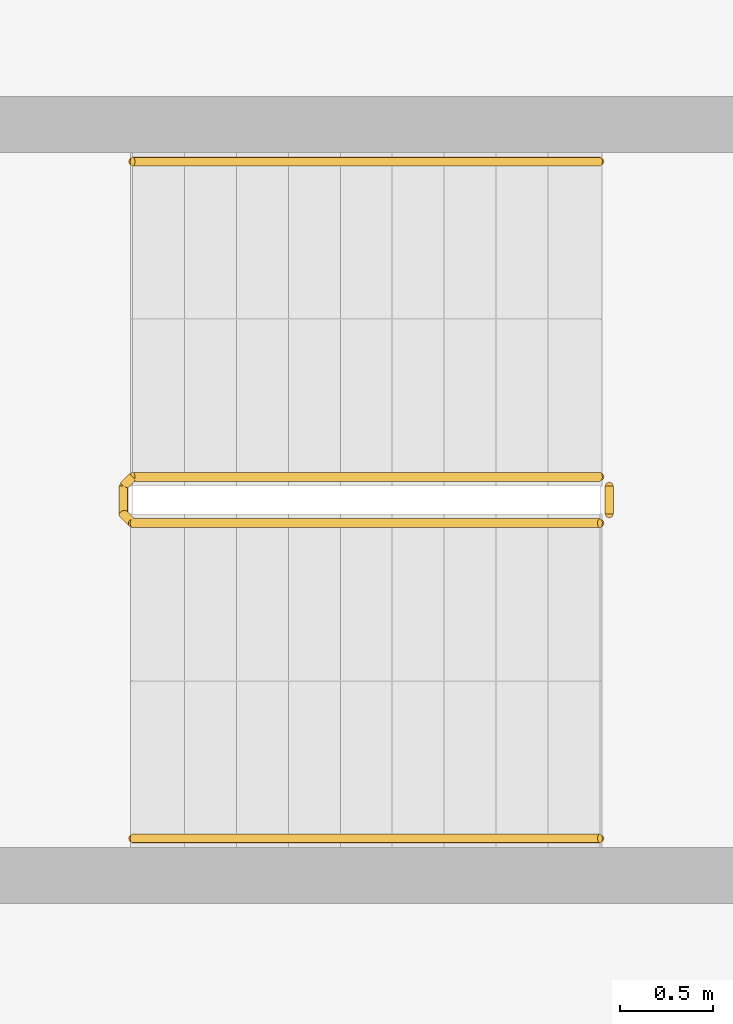
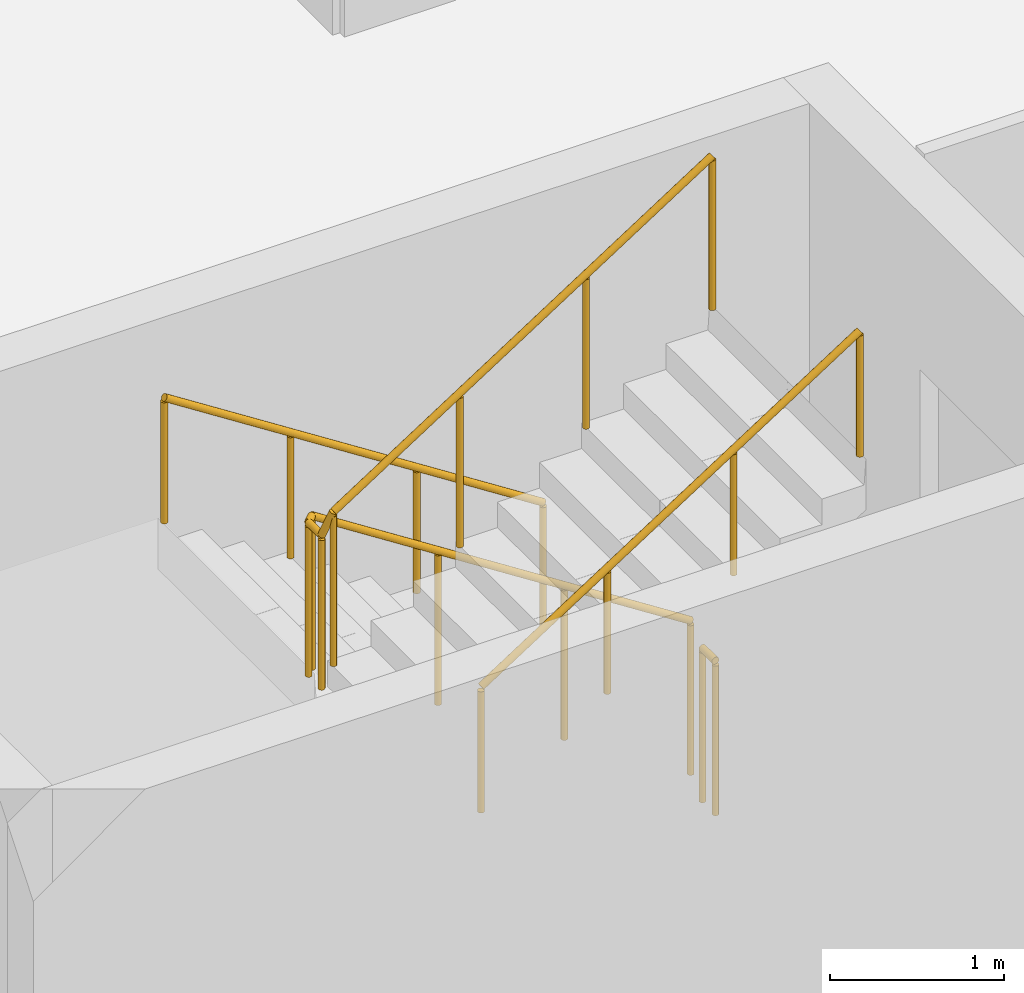
# One storey, part 28 of 31: 4 railings.
"""IFC4 building model written with IfcOpenShell, lengths in metres."""

import ifcopenshell
import ifcopenshell.guid

model = None  # the IFC model being written
_history = None  # IfcOwnerHistory: only IFC2X3 demands one
_inside = {}  # id of a spatial element -> (the spatial element, [elements in it])
_under = {}  # id of a project, library or spatial element -> (it, [spatial elements below it])
_declared = {}  # id of a project -> (the project, [libraries it declares])
_typed = {}  # id of a type object -> (the type object, [elements of that type])
_made_of = {}  # id of a material, layer set ... -> (it, [elements and type objects made of it])


def new_model(schema):
    """Start an empty IFC model of exactly this schema.

    Asked for "IFC4X3", IfcOpenShell would pick the latest addendum, in which some entities
    have other attributes; the version numbers below select the first issue.
    IFC2X3 requires an IfcOwnerHistory on every rooted entity: one is made here for all.
    """
    global model, _history
    if schema == "IFC4X3":
        model = ifcopenshell.file(schema_version=(4, 3, 0, 0))
    else:
        model = ifcopenshell.file(schema=schema)
    _inside.clear()
    _under.clear()
    _declared.clear()
    _typed.clear()
    _made_of.clear()
    _history = None
    if model.schema == "IFC2X3":
        org = make("IfcOrganization", Name="unknown")
        user = make(
            "IfcPersonAndOrganization",
            ThePerson=make("IfcPerson", FamilyName="unknown"),
            TheOrganization=org,
        )
        app = make(
            "IfcApplication",
            ApplicationDeveloper=org,
            Version="unknown",
            ApplicationFullName="unknown",
            ApplicationIdentifier="unknown",
        )
        _history = make(
            "IfcOwnerHistory",
            OwningUser=user,
            OwningApplication=app,
            ChangeAction="ADDED",
            CreationDate=0,
        )
    return model


def make(cls, **values):
    """One entity of the class cls with the attributes given. An attribute that is None is left unset."""
    return model.create_entity(
        cls, **{name: value for name, value in values.items() if value is not None}
    )


def rooted(cls, **values):
    """An entity with a GlobalId (a new one), such as an element, a storey or a relation."""
    return make(cls, GlobalId=ifcopenshell.guid.new(), OwnerHistory=_history, **values)


def si_unit(unit_type, name, prefix=None):
    """IfcSIUnit, for example si_unit("LENGTHUNIT", "METRE", prefix="MILLI")."""
    return make("IfcSIUnit", UnitType=unit_type, Prefix=prefix, Name=name)


def assignment(units):
    """IfcUnitAssignment: the units of a project."""
    return None if units is None else make("IfcUnitAssignment", Units=units)


def point(xyz):
    """IfcCartesianPoint."""
    return None if xyz is None else make("IfcCartesianPoint", Coordinates=xyz)


def direction(xyz):
    """IfcDirection."""
    return None if xyz is None else make("IfcDirection", DirectionRatios=xyz)


def frame(location, z_axis=None, x_axis=None):
    """IfcAxis2Placement3D, a coordinate frame: its origin and axes. An axis left out is left unset."""
    return make(
        "IfcAxis2Placement3D",
        Location=point(location),
        Axis=direction(z_axis),
        RefDirection=direction(x_axis),
    )


def frame_2d(location, x_axis=None):
    """IfcAxis2Placement2D, a coordinate frame in the plane: its origin and x axis."""
    return make(
        "IfcAxis2Placement2D", Location=point(location), RefDirection=direction(x_axis)
    )


def origin():
    """The frame at (0, 0, 0) with its axes left unset."""
    return frame((0.0, 0.0, 0.0))


def origin_2d():
    """The frame at (0, 0) in the plane with its x axis left unset."""
    return frame_2d((0.0, 0.0))


def place(relative_to, where):
    """IfcLocalPlacement: puts the frame where relative to a parent placement (None: the world)."""
    return make(
        "IfcLocalPlacement", PlacementRelTo=relative_to, RelativePlacement=where
    )


def context(
    kind, dimensions, precision=None, world=None, true_north=None, identifier=None
):
    """IfcGeometricRepresentationContext, for example the 3D "Model" context."""
    return make(
        "IfcGeometricRepresentationContext",
        ContextIdentifier=identifier,
        ContextType=kind,
        CoordinateSpaceDimension=dimensions,
        Precision=precision,
        WorldCoordinateSystem=world,
        TrueNorth=true_north,
    )


def subcontext(parent, identifier, kind, view, scale=None):
    """IfcGeometricRepresentationSubContext, for example "Body" below "Model"."""
    return make(
        "IfcGeometricRepresentationSubContext",
        ContextIdentifier=identifier,
        ContextType=kind,
        ParentContext=parent,
        TargetScale=scale,
        TargetView=view,
    )


def project(units=None, contexts=None):
    """IfcProject with its units and contexts."""
    return rooted(
        "IfcProject",
        Name="project",
        RepresentationContexts=contexts,
        UnitsInContext=assignment(units),
    )


def spatial(cls, under=None, at=None, **own):
    """A site, building, storey or space (cls), placed at a placement, below another one or the project."""
    s = rooted(cls, ObjectPlacement=at, **own)
    if under is not None:
        _under.setdefault(under.id(), (under, []))[1].append(s)
    return s


def profile(cls, at=None, kind="AREA", **sizes):
    """A parametric profile (cls). Its sizes go by their IFC names, for example OverallWidth=200.0."""
    return make(cls, ProfileType=kind, Position=at, **sizes)


def circle(**sizes):
    """IfcCircleProfileDef."""
    return profile("IfcCircleProfileDef", **sizes)


def extrude(swept, where, along, depth):
    """IfcExtrudedAreaSolid: the profile swept, set in the frame where, extruded along a direction by depth."""
    return make(
        "IfcExtrudedAreaSolid",
        SweptArea=swept,
        Position=where,
        ExtrudedDirection=direction(along),
        Depth=depth,
    )


def shape(context_of_items, identifier, shape_type, items):
    """IfcShapeRepresentation: the items that make up one representation, for example the "Body"."""
    return make(
        "IfcShapeRepresentation",
        ContextOfItems=context_of_items,
        RepresentationIdentifier=identifier,
        RepresentationType=shape_type,
        Items=items,
    )


def material(Name=None, Category=None):
    """IfcMaterial."""
    return make("IfcMaterial", Name=Name, Category=Category)


def made_of(thing, what):
    """Note that an element or type object is made of a material, layer set ...; save() writes the relation."""
    if what is not None:
        _made_of.setdefault(what.id(), (what, []))[1].append(thing)
    return thing


def type_object(cls, material=None, **own):
    """A type object (cls), such as IfcWallType, which elements share."""
    return made_of(rooted(cls, **own), material)


def element(
    cls,
    number,
    at=None,
    inside=None,
    cuts=None,
    type_object=None,
    material=None,
    context=None,
    identifier="Body",
    shape_type=None,
    held_by="IfcProductDefinitionShape",
    body=None,
    shapes=None,
    **own,
):
    """One element of the class cls, such as IfcWall. Its Tag is "e" and its number.

    at: its placement. inside: the storey or other place that contains it. cuts: it is an
    opening in that element (IfcRelVoidsElement). A single representation is given by context,
    identifier, shape_type and body (its items); several are given by shapes. held_by: the class
    of the entity that holds the representations. save() writes the other relations.
    """
    e = rooted(cls, Tag="e%d" % number, ObjectPlacement=at, **own)
    if body is not None:
        shapes = [shape(context, identifier, shape_type, body)]
    if shapes is not None:
        e.Representation = make(held_by, Representations=shapes)
    if inside is not None:
        _inside.setdefault(inside.id(), (inside, []))[1].append(e)
    if cuts is not None:
        rooted(
            "IfcRelVoidsElement", RelatingBuildingElement=cuts, RelatedOpeningElement=e
        )
    if type_object is not None:
        _typed.setdefault(type_object.id(), (type_object, []))[1].append(e)
    return made_of(e, material)


def aggregate(whole, parts):
    """IfcRelAggregates: a whole, such as a stair, and the parts it consists of."""
    return rooted("IfcRelAggregates", RelatingObject=whole, RelatedObjects=parts)


def save(model, path):
    """Write the relations noted so far, then the file.

    IfcRelAggregates (storeys below a building ...), IfcRelContainedInSpatialStructure (elements
    in a storey), IfcRelDefinesByType, IfcRelAssociatesMaterial and IfcRelDeclares: one each for
    every whole, place, type object, material and project.
    """
    for whole, parts in _under.values():
        aggregate(whole, parts)
    for where, things in _inside.values():
        rooted(
            "IfcRelContainedInSpatialStructure",
            RelatedElements=things,
            RelatingStructure=where,
        )
    for kind, things in _typed.values():
        rooted("IfcRelDefinesByType", RelatedObjects=things, RelatingType=kind)
    for what, things in _made_of.values():
        rooted("IfcRelAssociatesMaterial", RelatedObjects=things, RelatingMaterial=what)
    for by, libraries in _declared.values():
        rooted("IfcRelDeclares", RelatingContext=by, RelatedDefinitions=libraries)
    model.write(path)


model = new_model("IFC4")

# Units and contexts
model_context = context("Model", 3, precision=1e-05, world=origin(), true_north=direction((0.0, 1.0)))
body_context = subcontext(model_context, "Body", "Model", "MODEL_VIEW")
ifc_project = project(units=[si_unit("LENGTHUNIT", "METRE"), si_unit("AREAUNIT", "SQUARE_METRE"), si_unit("VOLUMEUNIT", "CUBIC_METRE"), si_unit("PLANEANGLEUNIT", "RADIAN"), si_unit("MASSUNIT", "GRAM", prefix="KILO")], contexts=[model_context])

# Site, building, storey
site_placement = place(None, origin())
site = spatial("IfcSite", under=ifc_project, at=site_placement, CompositionType="ELEMENT")
building_placement = place(site_placement, origin())
building = spatial("IfcBuilding", under=site, at=building_placement, Name="Wharfspan Tower", CompositionType="ELEMENT")
storey_placement = place(building_placement, frame((0.0, 0.0, 103.899902)))
storey = spatial("IfcBuildingStorey", under=building, at=storey_placement, Name="L23", CompositionType="ELEMENT", Elevation=103.899902)

# Railings
ifc_material = material(Name="Steel S355J2", Category="steel")
railing_type_1 = type_object("IfcRailingType", Name="Stair guard 1100", PredefinedType="GUARDRAIL", material=ifc_material)
railing_1_placement = place(storey_placement, frame((13.899902, 22.824951, 0.180176)))
element("IfcRailing", 1, at=railing_1_placement, inside=storey, type_object=railing_type_1, Name="L23 ST3 stair guard 1", PredefinedType="GUARDRAIL", context=body_context, shape_type="SweptSolid", body=[
    extrude(circle(Radius=0.023926, at=origin_2d()), frame((0.0, 0.0, 1.076172), z_axis=(-0.8412, 0.0, 0.540725), x_axis=(0.0, -1.0, 0.0)), (0.0, 0.0, 1.0), 2.99585),
    extrude(circle(Radius=0.023926, at=origin_2d()), frame((-2.52002, 0.0, 2.695801), z_axis=(-0.705376, -0.708834, 0.0), x_axis=(0.708834, -0.705376, 0.0)), (0.0, 0.0, 1.0), 0.070557),
    extrude(circle(Radius=0.023926, at=origin_2d()), frame((-2.569824, -0.050049, 2.695801), z_axis=(0.0, -1.0, 0.0), x_axis=(1.0, 0.0, 0.0)), (0.0, 0.0, 1.0), 0.149902),
    extrude(circle(Radius=0.023926, at=origin_2d()), frame((-2.569824, -0.199951, 2.695801), z_axis=(0.257669, -0.258932, 0.930892), x_axis=(0.708833, 0.705372, -1e-06)), (0.0, 0.0, 1.0), 0.193359),
    extrude(circle(Radius=0.023926, at=origin_2d()), frame((-2.52002, -0.25, 2.875977), z_axis=(0.841163, 0.0, 0.540782), x_axis=(0.0, 1.0, 0.0)), (0.0, 0.0, 1.0), 2.99585),
    extrude(circle(Radius=0.020996, at=origin_2d()), origin(), (0.0, 0.0, 1.0), 1.052002),
    extrude(circle(Radius=0.020996, at=origin_2d()), frame((-0.840088, 0.0, 0.540039)), (0.0, 0.0, 1.0), 1.052002),
    extrude(circle(Radius=0.020996, at=origin_2d()), frame((-1.679932, 0.0, 1.079834)), (0.0, 0.0, 1.0), 1.052002),
    extrude(circle(Radius=0.020996, at=origin_2d()), frame((-2.52002, 0.0, 1.619873)), (0.0, 0.0, 1.0), 1.052002),
    extrude(circle(Radius=0.020996, at=origin_2d()), frame((-2.569824, -0.050049, 1.619873)), (0.0, 0.0, 1.0), 1.052002),
    extrude(circle(Radius=0.020996, at=origin_2d()), frame((-2.569824, -0.199951, 1.619873)), (0.0, 0.0, 1.0), 1.052002),
    extrude(circle(Radius=0.020996, at=origin_2d()), frame((-2.52002, -0.25, 1.799805)), (0.0, 0.0, 1.0), 1.052002),
    extrude(circle(Radius=0.020996, at=origin_2d()), frame((-1.679932, -0.25, 2.339844)), (0.0, 0.0, 1.0), 1.052002),
    extrude(circle(Radius=0.020996, at=origin_2d()), frame((-0.840088, -0.25, 2.879883)), (0.0, 0.0, 1.0), 1.052002),
    extrude(circle(Radius=0.020996, at=origin_2d()), frame((0.0, -0.25, 3.419922)), (0.0, 0.0, 1.0), 1.052002),
])
railing_2_placement = place(storey_placement, frame((13.949951, 22.774902, 0.0)))
element("IfcRailing", 2, at=railing_2_placement, inside=storey, type_object=railing_type_1, Name="L23 ST3 stair guard 2", PredefinedType="GUARDRAIL", context=body_context, shape_type="SweptSolid", body=[
    extrude(circle(Radius=0.023926, at=origin_2d()), frame((0.0, 0.0, 1.076172), z_axis=(0.0, -1.0, 0.0), x_axis=(1.0, 0.0, 0.0)), (0.0, 0.0, 1.0), 0.149902),
    extrude(circle(Radius=0.020996, at=origin_2d()), origin(), (0.0, 0.0, 1.0), 1.052002),
    extrude(circle(Radius=0.020996, at=origin_2d()), frame((0.0, -0.149902, 0.0)), (0.0, 0.0, 1.0), 1.052002),
])
railing_type_2 = type_object("IfcRailingType", Name="Stair handrail 900", PredefinedType="HANDRAIL", material=ifc_material)
railing_3_placement = place(storey_placement, frame((13.899902, 24.524902, 0.180176)))
element("IfcRailing", 3, at=railing_3_placement, inside=storey, type_object=railing_type_2, Name="L23 ST3 stair handrail 1", PredefinedType="HANDRAIL", context=body_context, shape_type="SweptSolid", body=[
    extrude(circle(Radius=0.023926, at=origin_2d()), frame((0.0, 0.0, 0.875977), z_axis=(-0.8412, 0.0, 0.540725), x_axis=(0.0, -1.0, 0.0)), (0.0, 0.0, 1.0), 2.99585),
    extrude(circle(Radius=0.020996, at=origin_2d()), origin(), (0.0, 0.0, 1.0), 0.851807),
    extrude(circle(Radius=0.020996, at=origin_2d()), frame((-0.840088, 0.0, 0.540039)), (0.0, 0.0, 1.0), 0.851807),
    extrude(circle(Radius=0.020996, at=origin_2d()), frame((-1.679932, 0.0, 1.079834)), (0.0, 0.0, 1.0), 0.851807),
    extrude(circle(Radius=0.020996, at=origin_2d()), frame((-2.52002, 0.0, 1.619873)), (0.0, 0.0, 1.0), 0.851807),
])
railing_4_placement = place(storey_placement, frame((11.379883, 20.875, 1.97998)))
element("IfcRailing", 4, at=railing_4_placement, inside=storey, type_object=railing_type_2, Name="L23 ST3 stair handrail 2", PredefinedType="HANDRAIL", context=body_context, shape_type="SweptSolid", body=[
    extrude(circle(Radius=0.023926, at=origin_2d()), frame((0.0, 0.0, 0.875977), z_axis=(0.841163, 0.0, 0.540782), x_axis=(0.0, 1.0, 0.0)), (0.0, 0.0, 1.0), 2.99585),
    extrude(circle(Radius=0.020996, at=origin_2d()), origin(), (0.0, 0.0, 1.0), 0.851807),
    extrude(circle(Radius=0.020996, at=origin_2d()), frame((0.840088, 0.0, 0.540039)), (0.0, 0.0, 1.0), 0.851807),
    extrude(circle(Radius=0.020996, at=origin_2d()), frame((1.679932, 0.0, 1.080078)), (0.0, 0.0, 1.0), 0.851807),
    extrude(circle(Radius=0.020996, at=origin_2d()), frame((2.52002, 0.0, 1.620117)), (0.0, 0.0, 1.0), 0.851807),
])

save(model, "model.ifc")
